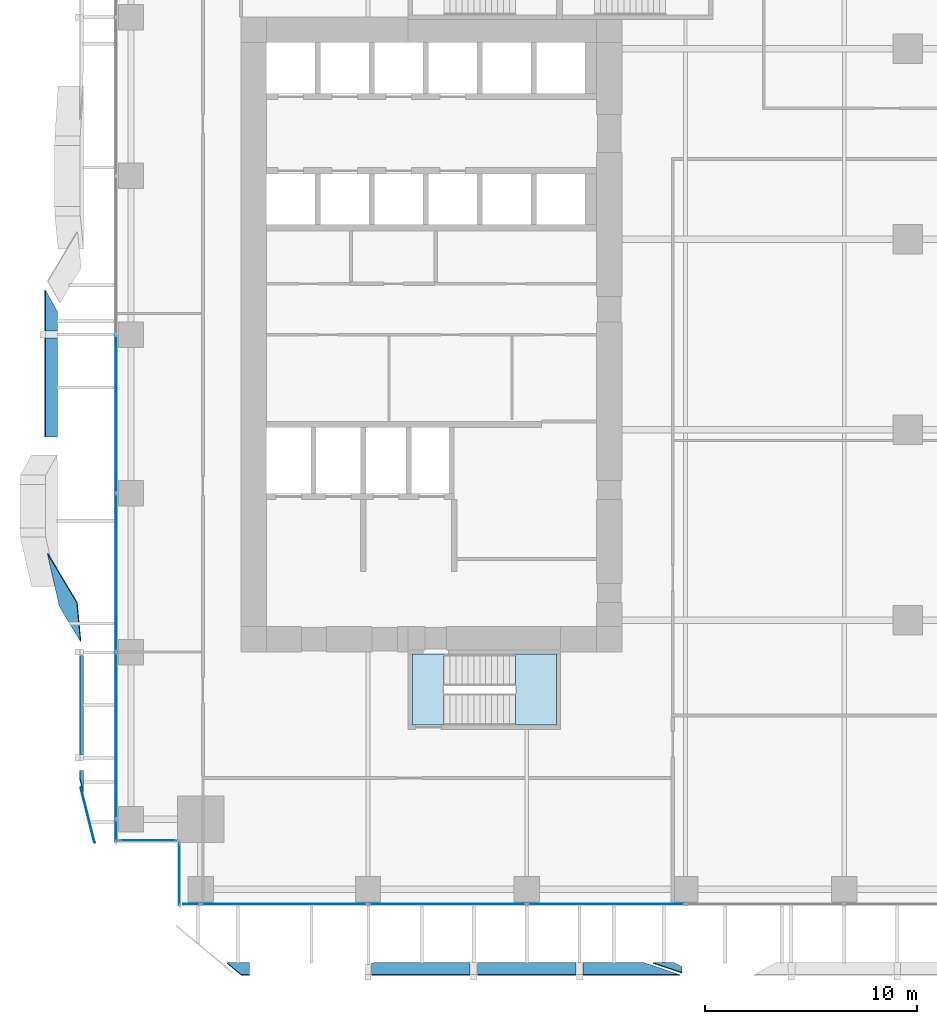
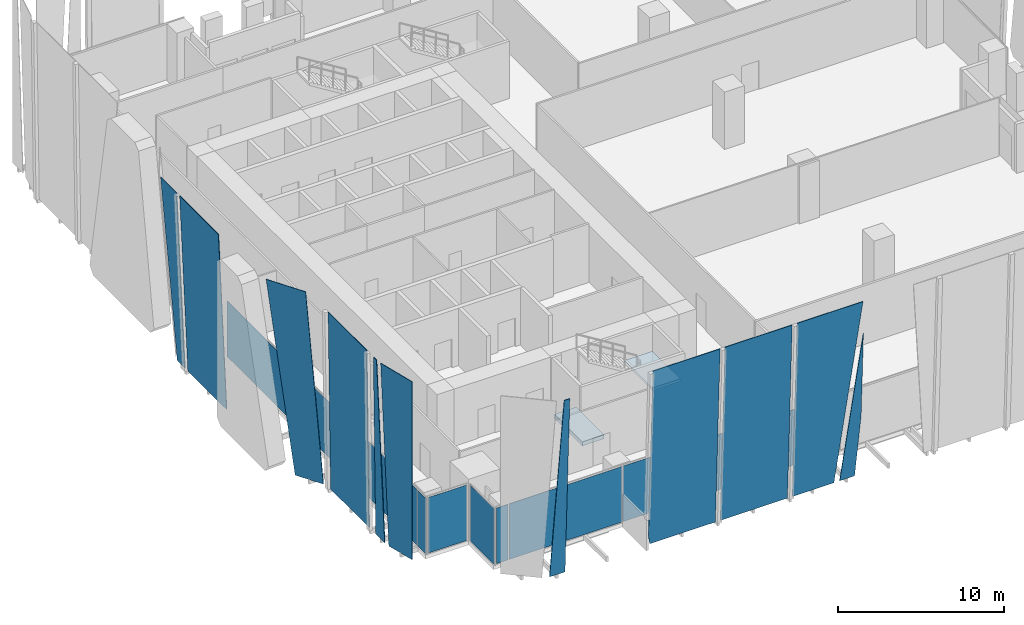
# One storey, part 21 of 34: 21 plates, 2 slabs, 5 elements without a shape of their own.
"""IFC4 building model written with IfcOpenShell, lengths in metres."""

from ifc_helpers import new_model, si_unit, direction, frame, origin, origin_2d, place, context, subcontext, project, spatial, polyline, rectangle, outline, extrude, source, transform, mapped, material, layer, layer_set, type_object, element, aggregate, save


model = new_model("IFC4")

# Units and contexts
model_context = context("Model", 3, precision=1e-05, world=origin(), true_north=direction((0.0, 1.0)))
body_context = subcontext(model_context, "Body", "Model", "MODEL_VIEW")
ifc_project = project(units=[si_unit("LENGTHUNIT", "METRE"), si_unit("AREAUNIT", "SQUARE_METRE"), si_unit("VOLUMEUNIT", "CUBIC_METRE"), si_unit("PLANEANGLEUNIT", "RADIAN"), si_unit("MASSUNIT", "GRAM", prefix="KILO")], contexts=[model_context])

# Site, building, storey
site_placement = place(None, origin())
site = spatial("IfcSite", under=ifc_project, at=site_placement, CompositionType="ELEMENT")
building_placement = place(site_placement, origin())
building = spatial("IfcBuilding", under=site, at=building_placement, Name="Khomas Fold Tower", CompositionType="ELEMENT")
storey_placement = place(building_placement, frame((0.0, 0.0, 73.5)))
storey = spatial("IfcBuildingStorey", under=building, at=storey_placement, Name="L15", CompositionType="ELEMENT", Elevation=73.5)

# Plates
ifc_material_1 = material(Name="Clear laminated glass", Category="glass")
ifc_layer_1 = layer(ifc_material_1, 0.0400390625)
ifc_layer_set_1 = layer_set([ifc_layer_1], Name="Clear laminated glass")
plate_type_1 = type_object("IfcPlateType", Name="SK-Clear laminated glass leaf", PredefinedType="SHEET", material=ifc_layer_set_1)
plate_1_placement = place(storey_placement, frame((6.39990234375, -2.673828125, 0.0), z_axis=(0.0, 0.99904235518, 0.043753543365), x_axis=(-1.0, 0.0, 0.0)))
element("IfcPlate", 1, at=plate_1_placement, inside=storey, type_object=plate_type_1, Name="OUTER SKIN glass L15 SG098-1", PredefinedType="SHEET", context=body_context, shape_type="SweptSolid", body=[
    extrude(outline(polyline([(0.0, 0.0), (1.071044921875, 0.0), (0.38525390625, 13.062558119247587), (0.0, 13.062558119247587), (0.0, 0.0)])), origin(), (0.0, 0.0, -1.0), 0.0400390625),
])
plate_2_placement = place(storey_placement, frame((26.484130859375, -2.673828125, 0.0), z_axis=(4.3754029e-05, 0.999043260494, 0.043732845186), x_axis=(-0.999999999043, 4.3712168e-05, 1.913488e-06)))
element("IfcPlate", 2, at=plate_2_placement, inside=storey, type_object=plate_type_1, Name="OUTER SKIN glass L15 SG102-3", PredefinedType="SHEET", context=body_context, shape_type="SweptSolid", body=[
    extrude(outline(polyline([(0.0, 0.0), (1.028320311515684, 0.0), (-0.34594726595614333, 10.628822009475572), (-0.34594726792477526, 4.420002901187305), (0.0, 0.0)])), origin(), (0.0, 0.0, -1.0), 0.0400390625),
])
plate_3_placement = place(storey_placement, frame((12.286376953125, -2.673828125, 0.0), z_axis=(1.566364e-05, 0.999042348947, 0.04375368287), x_axis=(-0.19214011779, -0.042935435761, 0.980427826763)))
element("IfcPlate", 3, at=plate_3_placement, inside=storey, type_object=plate_type_1, Name="OUTER SKIN glass L15 SG100-5", PredefinedType="SHEET", context=body_context, shape_type="SweptSolid", body=[
    extrude(outline(polyline([(0.0, 0.0), (0.606094561210494, 1.3877787807814457e-17), (12.841545731267573, 2.3955562267886092), (11.94614276047046, 6.968882126937592), (-0.8730272783688742, 4.459040670980339), (0.0, 0.0)])), origin(), (0.0, 0.0, -1.0), 0.0400390625),
])
plate_4_placement = place(storey_placement, frame((17.169921875, -2.673828125, 0.0), z_axis=(0.0, 0.99904235518, 0.043753543365), x_axis=(0.0, -0.043753543365, 0.99904235518)))
element("IfcPlate", 4, at=plate_4_placement, inside=storey, type_object=plate_type_1, Name="OUTER SKIN glass L15 SG101-7", PredefinedType="SHEET", context=body_context, shape_type="SweptSolid", body=[
    extrude(outline(polyline([(0.0, 0.0), (13.062558119247587, 0.0), (13.062558119247587, 4.66015625), (0.0, 4.66015625), (0.0, 0.0)])), origin(), (0.0, 0.0, -1.0), 0.0400390625),
])
plate_5_placement = place(storey_placement, frame((25.052490234375, -2.673828125, 0.0), z_axis=(0.0, 0.99904235518, 0.043753543365), x_axis=(-1.0, 0.0, 0.0)))
element("IfcPlate", 5, at=plate_5_placement, inside=storey, type_object=plate_type_1, Name="OUTER SKIN glass L15 SG102-9", PredefinedType="SHEET", context=body_context, shape_type="SweptSolid", body=[
    extrude(outline(polyline([(0.0, 0.0), (2.882568359375, 0.0), (2.882568359375, 13.062558119247585), (-1.688720703125, 13.062558119247585), (0.0, 0.0)])), origin(), (0.0, 0.0, -1.0), 0.0400390625),
])
plate_6_placement = place(storey_placement, frame((-1.43212890625, 6.39990234375, 0.0), z_axis=(0.999913772879, 0.0, 0.013131900334), x_axis=(0.0, -1.0, 0.0)))
element("IfcPlate", 6, at=plate_6_placement, inside=storey, type_object=plate_type_1, Name="OUTER SKIN glass L15 WG098-1", PredefinedType="SHEET", context=body_context, shape_type="SweptSolid", body=[
    extrude(outline(polyline([(0.0, 0.0), (1.071044921875, 0.0), (0.38525390625, -13.051174193298111), (0.0, -13.051174193298111), (0.0, 0.0)])), origin(), (0.0, 0.0, -1.0), 0.0400390625),
])
plate_7_placement = place(storey_placement, frame((-1.4208984375, 4.91845703125, 0.0), z_axis=(-0.970133297615, -0.242572432169, 3.296233e-06), x_axis=(0.24257243217, -0.97013329762, 7.1e-11)))
element("IfcPlate", 7, at=plate_7_placement, inside=storey, type_object=plate_type_1, Name="OUTER SKIN glass L15 WG098-2", PredefinedType="SHEET", context=body_context, shape_type="SweptSolid", body=[
    extrude(outline(polyline([(0.0, 0.0), (1.9875960298190471, 0.0), (1.987596030750009, 13.050048828054107), (-0.7068823917443383, 13.050048828388116), (0.0, 0.0)])), origin(), (0.0, 0.0, -1.0), 0.0400390625),
])
plate_8_placement = place(storey_placement, frame((-1.43212890625, 7.169921875, 0.0), z_axis=(0.999913772879, 0.0, 0.013131900334), x_axis=(-0.013131900334, 0.0, 0.999913772879)))
element("IfcPlate", 8, at=plate_8_placement, inside=storey, type_object=plate_type_1, Name="OUTER SKIN glass L15 WG099-4", PredefinedType="SHEET", context=body_context, shape_type="SweptSolid", body=[
    extrude(outline(polyline([(0.0, 0.0), (13.051174193298111, 0.0), (13.051174193298111, -4.660156249999999), (0.0, -4.660156249999999), (0.0, 0.0)])), origin(), (0.0, 0.0, -1.0), 0.0400390625),
])
plate_9_placement = place(storey_placement, frame((-2.585693359375, 14.15478515625, 0.00244140625), z_axis=(-0.855911582629, -0.513494632244, 0.061144299639), x_axis=(0.514457219878, -0.857516045865, 1.08694e-07)))
element("IfcPlate", 9, at=plate_9_placement, inside=storey, type_object=plate_type_1, Name="OUTER SKIN glass L15 WG100-6", PredefinedType="SHEET", context=body_context, shape_type="SweptSolid", body=[
    extrude(outline(polyline([(0.0, 0.0), (1.9399940066853418, -6.938893903907228e-18), (0.2743381072875134, 13.074512035690379), (-2.4434706505409767, 13.074512542913983), (0.0, 0.0)])), origin(), (0.0, 0.0, -1.0), 0.0400390625),
])
plate_10_placement = place(storey_placement, frame((-2.673828125, 22.169921875, 0.0), z_axis=(0.99904235518, 0.0, 0.043753543365), x_axis=(-0.043753543365, 0.0, 0.99904235518)))
element("IfcPlate", 10, at=plate_10_placement, inside=storey, type_object=plate_type_1, Name="OUTER SKIN glass L15 WG102-7", PredefinedType="SHEET", context=body_context, shape_type="SweptSolid", body=[
    extrude(outline(polyline([(0.0, 0.0), (13.062558119247587, 0.0), (13.062558119247587, -4.66015625), (0.0, -4.66015625), (0.0, 0.0)])), origin(), (0.0, 0.0, -1.0), 0.0400390625),
])
plate_11_placement = place(storey_placement, frame((-2.673828125, 28.09375, 0.0), z_axis=(0.99904235518, 0.0, 0.043753543365), x_axis=(0.0, -1.0, 0.0)))
element("IfcPlate", 11, at=plate_11_placement, inside=storey, type_object=plate_type_1, Name="OUTER SKIN glass L15 WG103-9", PredefinedType="SHEET", context=body_context, shape_type="SweptSolid", body=[
    extrude(outline(polyline([(0.0, 0.0), (0.923828125, 0.0), (0.923828125, -13.062558119247587), (-1.02197265625, -13.062558119247587), (0.0, 0.0)])), origin(), (0.0, 0.0, -1.0), 0.0400390625),
])

# Curtain wall, plates
ifc_material_2 = material(Name="Aluminium framed double glazing", Category="aluminium")
curtain_wall_type = type_object("IfcCurtainWallType", Name="SK-Unitised clear-glass wall, growing floors CW1", PredefinedType="NOTDEFINED", material=ifc_material_2)
curtain_wall_1_placement = place(storey_placement, origin())
curtain_wall_1 = element("IfcCurtainWall", 12, at=curtain_wall_1_placement, inside=storey, type_object=curtain_wall_type, Name="CW1 run L15 00-0", PredefinedType="NOTDEFINED")
ifc_material_3 = material(Name="Clear double glazed unit")
ifc_layer_2 = layer(ifc_material_3, 0.031982421875)
ifc_layer_set_2 = layer_set([ifc_layer_2], Name="Clear double glazed unit")
plate_type_2 = type_object("IfcPlateType", Name="SK-Unitised clear-glass wall, growing floors glass panel CW1-P", PredefinedType="CURTAIN_PANEL", material=ifc_layer_set_2)
shared_shape_1 = source(origin(), body_context, "Body", "SweptSolid", [
    extrude(rectangle(XDim=0.81005859375, YDim=0.031982421875, at=origin_2d()), origin(), (0.0, 0.0, 1.0), 4.080078125),
])
plate_12_placement = place(storey_placement, frame((3.6650390625, 0.10009765625, 0.0), z_axis=(0.0, 0.0, 1.0), x_axis=(1.0, 0.0, 0.0)))
plate_12 = element("IfcPlate", 13, at=plate_12_placement, type_object=plate_type_2, Name="CW1 glass panel 1", PredefinedType="CURTAIN_PANEL", context=body_context, shape_type="MappedRepresentation", body=[
    mapped(shared_shape_1, transform((0.0, 0.0, 0.0))),
])
shared_shape_2 = source(origin(), body_context, "Body", "SweptSolid", [
    extrude(rectangle(XDim=7.840087890625, YDim=0.031982421875, at=origin_2d()), origin(), (0.0, 0.0, 1.0), 4.080078125),
])
plate_13_placement = place(storey_placement, frame((8.050048828125, 0.10009765625, 0.0), z_axis=(0.0, 0.0, 1.0), x_axis=(1.0, 0.0, 0.0)))
plate_13 = element("IfcPlate", 14, at=plate_13_placement, type_object=plate_type_2, Name="CW1 glass panel 2", PredefinedType="CURTAIN_PANEL", context=body_context, shape_type="MappedRepresentation", body=[
    mapped(shared_shape_2, transform((0.0, 0.0, 0.0))),
])

# Curtain wall, plate
curtain_wall_2_placement = place(storey_placement, origin())
curtain_wall_2 = element("IfcCurtainWall", 15, at=curtain_wall_2_placement, inside=storey, type_object=curtain_wall_type, Name="CW1 run L15 09-0", PredefinedType="NOTDEFINED")
plate_14_placement = place(storey_placement, frame((0.10009765625, 8.050048828125, 0.0), z_axis=(0.0, 0.0, 1.0), x_axis=(0.0, -1.0, 0.0)))
plate_14 = element("IfcPlate", 16, at=plate_14_placement, type_object=plate_type_2, Name="CW1 glass panel 7", PredefinedType="CURTAIN_PANEL", context=body_context, shape_type="MappedRepresentation", body=[
    mapped(shared_shape_2, transform((0.0, 0.0, 0.0))),
])

# Plate
shared_shape_3 = source(origin(), body_context, "Body", "SweptSolid", [
    extrude(rectangle(XDim=7.43994140625, YDim=0.031982421875, at=origin_2d()), origin(), (0.0, 0.0, 1.0), 4.080078125),
])
plate_15_placement = place(storey_placement, frame((15.75, 0.10009765625, 0.0), z_axis=(0.0, 0.0, 1.0), x_axis=(1.0, 0.0, 0.0)))
plate_15 = element("IfcPlate", 17, at=plate_15_placement, type_object=plate_type_2, Name="CW1 glass panel 3", PredefinedType="CURTAIN_PANEL", context=body_context, shape_type="MappedRepresentation", body=[
    mapped(shared_shape_3, transform((0.0, 0.0, 0.0))),
])

plate_16_placement = place(storey_placement, frame((23.25, 0.10009765625, 0.0), z_axis=(0.0, 0.0, 1.0), x_axis=(1.0, 0.0, 0.0)))
plate_16 = element("IfcPlate", 18, at=plate_16_placement, type_object=plate_type_2, Name="CW1 glass panel 4", PredefinedType="CURTAIN_PANEL", context=body_context, shape_type="MappedRepresentation", body=[
    mapped(shared_shape_3, transform((0.0, 0.0, 0.0))),
])

aggregate(curtain_wall_1, [plate_12, plate_13, plate_15, plate_16])

plate_17_placement = place(storey_placement, frame((0.10009765625, 23.25, 0.0), z_axis=(0.0, 0.0, 1.0), x_axis=(0.0, -1.0, 0.0)))
plate_17 = element("IfcPlate", 19, at=plate_17_placement, type_object=plate_type_2, Name="CW1 glass panel 5", PredefinedType="CURTAIN_PANEL", context=body_context, shape_type="MappedRepresentation", body=[
    mapped(shared_shape_3, transform((0.0, 0.0, 0.0))),
])

plate_18_placement = place(storey_placement, frame((0.10009765625, 15.75, 0.0), z_axis=(0.0, 0.0, 1.0), x_axis=(0.0, -1.0, 0.0)))
plate_18 = element("IfcPlate", 20, at=plate_18_placement, type_object=plate_type_2, Name="CW1 glass panel 6", PredefinedType="CURTAIN_PANEL", context=body_context, shape_type="MappedRepresentation", body=[
    mapped(shared_shape_3, transform((0.0, 0.0, 0.0))),
])

shared_shape_4 = source(origin(), body_context, "Body", "SweptSolid", [
    extrude(rectangle(XDim=1.010009765625, YDim=0.031982421875, at=origin_2d()), origin(), (0.0, 0.0, 1.0), 4.080078125),
])
plate_19_placement = place(storey_placement, frame((0.10009765625, 3.56494140625, 0.0), z_axis=(0.0, 0.0, 1.0), x_axis=(0.0, -1.0, 0.0)))
plate_19 = element("IfcPlate", 21, at=plate_19_placement, type_object=plate_type_2, Name="CW1 glass panel 8", PredefinedType="CURTAIN_PANEL", context=body_context, shape_type="MappedRepresentation", body=[
    mapped(shared_shape_4, transform((0.0, 0.0, 0.0))),
])

aggregate(curtain_wall_2, [plate_17, plate_18, plate_14, plate_19])

# Curtain wall, plate
curtain_wall_3_placement = place(storey_placement, origin())
curtain_wall_3 = element("IfcCurtainWall", 22, at=curtain_wall_3_placement, inside=storey, type_object=curtain_wall_type, Name="CW1 corner return L15 10", PredefinedType="NOTDEFINED")
shared_shape_5 = source(origin(), body_context, "Body", "SweptSolid", [
    extrude(rectangle(XDim=2.679931640625, YDim=0.031982421875, at=origin_2d()), origin(), (0.0, 0.0, 1.0), 4.080078125),
])
plate_20_placement = place(storey_placement, frame((1.60009765625, 3.10009765625, 0.0), z_axis=(0.0, 0.0, 1.0), x_axis=(1.0, 0.0, 0.0)))
plate_20 = element("IfcPlate", 23, at=plate_20_placement, type_object=plate_type_2, Name="CW1 glass panel 1", PredefinedType="CURTAIN_PANEL", context=body_context, shape_type="MappedRepresentation", body=[
    mapped(shared_shape_5, transform((0.0, 0.0, 0.0))),
])
aggregate(curtain_wall_3, [plate_20])

curtain_wall_4_placement = place(storey_placement, origin())
curtain_wall_4 = element("IfcCurtainWall", 24, at=curtain_wall_4_placement, inside=storey, type_object=curtain_wall_type, Name="CW1 corner return L15 11", PredefinedType="NOTDEFINED")
shared_shape_6 = source(origin(), body_context, "Body", "SweptSolid", [
    extrude(rectangle(XDim=2.8798828125, YDim=0.031982421875, at=origin_2d()), origin(), (0.0, 0.0, 1.0), 4.080078125),
])
plate_21_placement = place(storey_placement, frame((3.10009765625, 1.5, 0.0), z_axis=(0.0, 0.0, 1.0), x_axis=(0.0, -1.0, 0.0)))
plate_21 = element("IfcPlate", 25, at=plate_21_placement, type_object=plate_type_2, Name="CW1 glass panel 1", PredefinedType="CURTAIN_PANEL", context=body_context, shape_type="MappedRepresentation", body=[
    mapped(shared_shape_6, transform((0.0, 0.0, 0.0))),
])
aggregate(curtain_wall_4, [plate_21])

# Stair, slab
ifc_material_4 = material(Name="Concrete C40/50", Category="concrete")
stair_type = type_object("IfcStairType", Name="Stair ST2", PredefinedType="HALF_TURN_STAIR", material=ifc_material_4)
stair_placement = place(storey_placement, origin())
stair = element("IfcStair", 26, at=stair_placement, inside=storey, type_object=stair_type, Name="L15 ST2", PredefinedType="HALF_TURN_STAIR")
ifc_material_5 = material(Name="Concrete C40/50", Category="concrete")
ifc_layer_3 = layer(ifc_material_5, 0.199951171875)
ifc_layer_set_3 = layer_set([ifc_layer_3], Name="Concrete C40/50")
slab_type_1 = type_object("IfcSlabType", Name="Stair landing 200", PredefinedType="LANDING", material=ifc_layer_set_3)
shared_shape_7 = source(origin(), body_context, "Body", "SweptSolid", [
    extrude(outline(polyline([(18.9599609375, 8.550048828125), (20.89990234375, 8.550048828125), (20.89990234375, 11.89990234375), (18.9599609375, 11.89990234375), (18.9599609375, 8.550048828125)])), origin(), (0.0, 0.0, 1.0), 0.199951171875),
])
slab_1_placement = place(storey_placement, frame((0.0, 0.0, 2.050048828125)))
slab_1 = element("IfcSlab", 27, at=slab_1_placement, type_object=slab_type_1, Name="ST2 landing 1", PredefinedType="LANDING", context=body_context, shape_type="MappedRepresentation", body=[
    mapped(shared_shape_7, transform((0.0, 0.0, 0.0))),
])
aggregate(stair, [slab_1])

# Slab
ifc_material_6 = material(Name="Concrete C40/50", Category="concrete")
ifc_layer_4 = layer(ifc_material_6, 0.300048828125)
ifc_layer_set_4 = layer_set([ifc_layer_4], Name="Concrete C40/50")
slab_type_2 = type_object("IfcSlabType", Name="Stair floor landing 300", PredefinedType="LANDING", material=ifc_layer_set_4)
shared_shape_8 = source(origin(), body_context, "Body", "SweptSolid", [
    extrude(outline(polyline([(15.60009765625, 8.550048828125), (14.10009765625, 8.550048828125), (14.10009765625, 11.89990234375), (15.60009765625, 11.89990234375), (15.60009765625, 8.550048828125)])), origin(), (0.0, 0.0, 1.0), 0.300048828125),
])
slab_2_placement = place(storey_placement, frame((0.0, 0.0, -0.300048828125)))
element("IfcSlab", 28, at=slab_2_placement, inside=storey, type_object=slab_type_2, Name="ST2 floor landing", PredefinedType="LANDING", context=body_context, shape_type="MappedRepresentation", body=[
    mapped(shared_shape_8, transform((0.0, 0.0, 0.0))),
])

save(model, "model.ifc")
